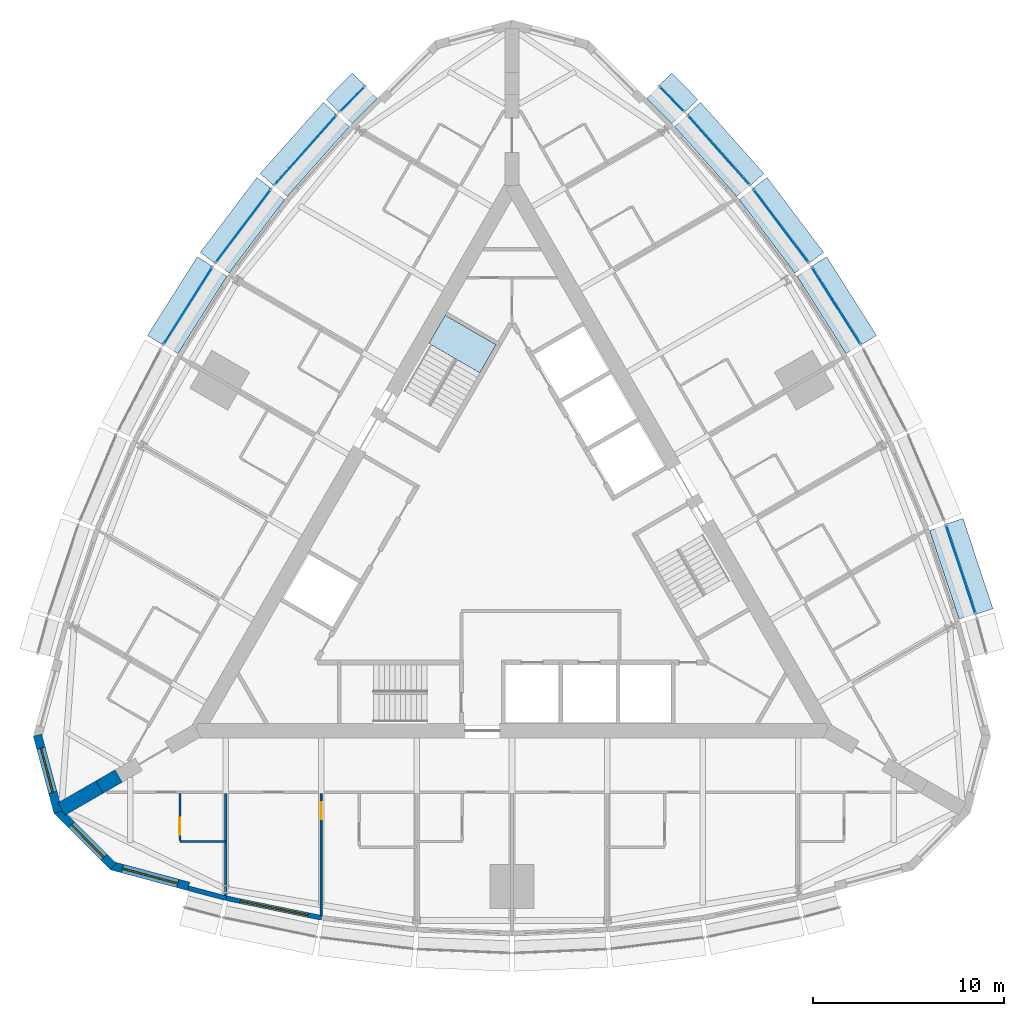
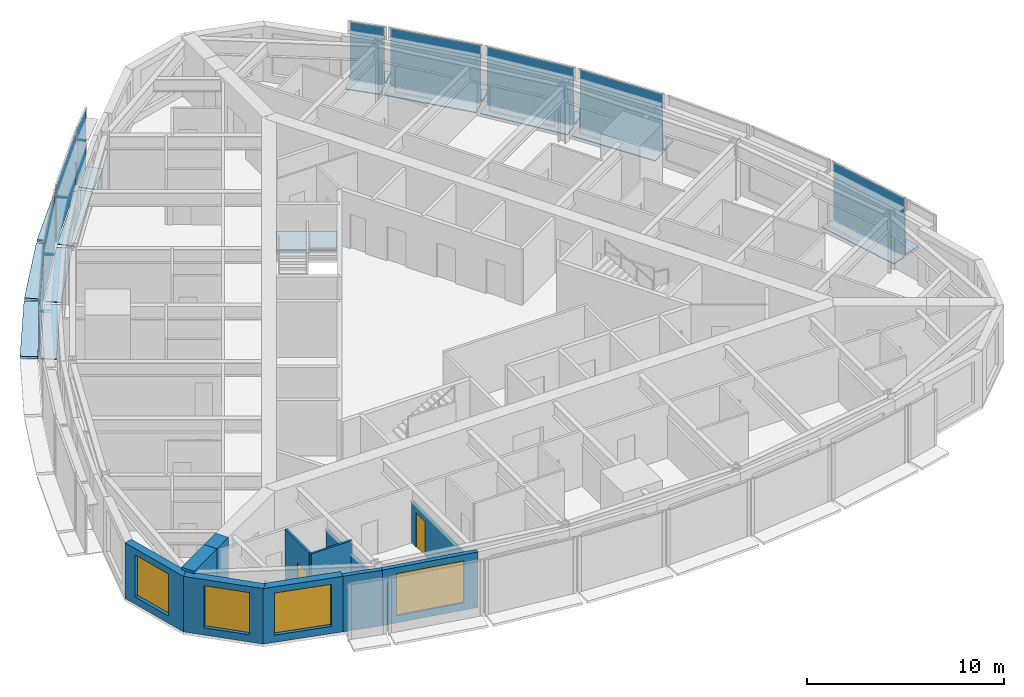
# One storey, part 8 of 15: 27 plates, 11 walls, 4 windows, 2 doors, 1 slab, 6 openings, 10 elements without a shape of their own.
"""IFC4 building model written with IfcOpenShell, lengths in metres."""

from ifc_helpers import new_model, si_unit, direction, frame, frame_2d, origin, origin_2d, place, context, subcontext, project, spatial, polyline, rectangle, outline, extrude, material, layer, layer_set, type_object, element, fill, aggregate, save


model = new_model("IFC4")

# Units and contexts
model_context = context("Model", 3, precision=1e-05, world=origin(), true_north=direction((0.0, 1.0)))
body_context = subcontext(model_context, "Body", "Model", "MODEL_VIEW")
ifc_project = project(units=[si_unit("LENGTHUNIT", "METRE"), si_unit("AREAUNIT", "SQUARE_METRE"), si_unit("VOLUMEUNIT", "CUBIC_METRE"), si_unit("PLANEANGLEUNIT", "RADIAN"), si_unit("MASSUNIT", "GRAM", prefix="KILO")], contexts=[model_context])

# Site, building, storey
site_placement = place(None, origin())
site = spatial("IfcSite", under=ifc_project, at=site_placement, CompositionType="ELEMENT")
building_placement = place(site_placement, origin())
building = spatial("IfcBuilding", under=site, at=building_placement, Name="Trikona Tower", CompositionType="ELEMENT")
storey_placement = place(building_placement, frame((0.0, 0.0, 208.10009765625)))
storey = spatial("IfcBuildingStorey", under=building, at=storey_placement, Name="L55", CompositionType="ELEMENT", Elevation=208.10009765625)

# Plates
ifc_material_1 = material(Name="Aluminium bar grating", Category="aluminium")
ifc_layer_1 = layer(ifc_material_1, 0.050048828125)
ifc_layer_set_1 = layer_set([ifc_layer_1], Name="Cavity catwalk grating")
plate_type_1 = type_object("IfcPlateType", Name="Cavity catwalk grating", PredefinedType="USERDEFINED", material=ifc_layer_set_1)
plate_1_placement = place(storey_placement, frame((23.05078125, -1.22314453125, -0.05029296875), z_axis=(0.0, 0.0, 1.0), x_axis=(-0.315092532747, 0.949060954737, 0.0)))
element("IfcPlate", 1, at=plate_1_placement, inside=storey, type_object=plate_type_1, Name="Cavity catwalk L55-13", ObjectType="CATWALK GRATING", PredefinedType="USERDEFINED", context=body_context, shape_type="SweptSolid", body=[
    extrude(rectangle(XDim=4.90478515625, YDim=0.840087890625, at=origin_2d()), origin(), (0.0, 0.0, 1.0), 0.050048828125),
])
plate_2_placement = place(storey_placement, frame((16.57666015625, 12.477294921875, -0.05029296875), z_axis=(0.0, 0.0, 1.0), x_axis=(-0.535204777743, 0.844722348397, 0.0)))
element("IfcPlate", 2, at=plate_2_placement, inside=storey, type_object=plate_type_1, Name="Cavity catwalk L55-16", ObjectType="CATWALK GRATING", PredefinedType="USERDEFINED", context=body_context, shape_type="SweptSolid", body=[
    extrude(rectangle(XDim=4.80419921875, YDim=0.840087890625, at=origin_2d()), origin(), (0.0, 0.0, 1.0), 0.050048828125),
])
plate_3_placement = place(storey_placement, frame((13.70068359375, 16.6298828125, -0.05029296875), z_axis=(0.0, 0.0, 1.0), x_axis=(-0.602401684924, 0.798193090674, 0.0)))
element("IfcPlate", 3, at=plate_3_placement, inside=storey, type_object=plate_type_1, Name="Cavity catwalk L55-17", ObjectType="CATWALK GRATING", PredefinedType="USERDEFINED", context=body_context, shape_type="SweptSolid", body=[
    extrude(rectangle(XDim=4.837890625, YDim=0.840087890625, at=origin_2d()), origin(), (0.0, 0.0, 1.0), 0.050048828125),
])
plate_4_placement = place(storey_placement, frame((10.466064453125, 20.57421875, -0.05029296875), z_axis=(0.0, 0.0, 1.0), x_axis=(-0.664367239113, 0.747406296196, 0.0)))
element("IfcPlate", 4, at=plate_4_placement, inside=storey, type_object=plate_type_1, Name="Cavity catwalk L55-18", ObjectType="CATWALK GRATING", PredefinedType="USERDEFINED", context=body_context, shape_type="SweptSolid", body=[
    extrude(rectangle(XDim=4.90478515625, YDim=0.840087890625, at=origin_2d()), origin(), (0.0, 0.0, 1.0), 0.050048828125),
])
for number, where, z_axis, x_axis, name in (
    (5, (8.0263671875, 23.23291015625, -0.05029296875), (0.0, 0.0, 1.0), (-0.704151057285, 0.710050201412, 0.0), "Cavity catwalk L55-19"),
    (6, (-8.0263671875, 23.23291015625, -0.05029296875), (0.0, 0.0, 1.0), (-0.704151057285, -0.710050201412, 0.0), "Cavity catwalk L55-24"),
):
    element("IfcPlate", number, at=place(storey_placement, frame(where, z_axis=z_axis, x_axis=x_axis)), inside=storey, type_object=plate_type_1, Name=name, ObjectType="CATWALK GRATING", PredefinedType="USERDEFINED", context=body_context, shape_type="SweptSolid", body=[
        extrude(rectangle(XDim=1.868408203125, YDim=0.840087890625, at=origin_2d()), origin(), (0.0, 0.0, 1.0), 0.050048828125),
    ])
plate_5_placement = place(storey_placement, frame((-10.466064453125, 20.57421875, -0.05029296875), z_axis=(0.0, 0.0, 1.0), x_axis=(-0.664367239113, -0.747406296196, 0.0)))
element("IfcPlate", 7, at=plate_5_placement, inside=storey, type_object=plate_type_1, Name="Cavity catwalk L55-25", ObjectType="CATWALK GRATING", PredefinedType="USERDEFINED", context=body_context, shape_type="SweptSolid", body=[
    extrude(rectangle(XDim=4.90478515625, YDim=0.840087890625, at=origin_2d()), origin(), (0.0, 0.0, 1.0), 0.050048828125),
])
plate_6_placement = place(storey_placement, frame((-13.70068359375, 16.6298828125, -0.05029296875), z_axis=(0.0, 0.0, 1.0), x_axis=(-0.602401684924, -0.798193090674, 0.0)))
element("IfcPlate", 8, at=plate_6_placement, inside=storey, type_object=plate_type_1, Name="Cavity catwalk L55-26", ObjectType="CATWALK GRATING", PredefinedType="USERDEFINED", context=body_context, shape_type="SweptSolid", body=[
    extrude(rectangle(XDim=4.837890625, YDim=0.840087890625, at=origin_2d()), origin(), (0.0, 0.0, 1.0), 0.050048828125),
])
plate_7_placement = place(storey_placement, frame((-16.57666015625, 12.477294921875, -0.05029296875), z_axis=(0.0, 0.0, 1.0), x_axis=(-0.535204777743, -0.844722348397, 0.0)))
element("IfcPlate", 9, at=plate_7_placement, inside=storey, type_object=plate_type_1, Name="Cavity catwalk L55-27", ObjectType="CATWALK GRATING", PredefinedType="USERDEFINED", context=body_context, shape_type="SweptSolid", body=[
    extrude(rectangle(XDim=4.80419921875, YDim=0.840087890625, at=origin_2d()), origin(), (0.0, 0.0, 1.0), 0.050048828125),
])

# Curtain wall, plate
ifc_material_2 = material(Name="Aluminium curtain wall system", Category="aluminium")
curtain_wall_type = type_object("IfcCurtainWallType", Name="Curtain wall DS3", PredefinedType="NOTDEFINED", material=ifc_material_2)
curtain_wall_1_placement = place(storey_placement, origin())
curtain_wall_1 = element("IfcCurtainWall", 10, at=curtain_wall_1_placement, inside=storey, type_object=curtain_wall_type, Name="Curtain wall DS3 L55", PredefinedType="NOTDEFINED")
ifc_material_3 = material(Name="Laminated clear glass", Category="glass")
ifc_layer_2 = layer(ifc_material_3, 0.028076171875)
ifc_layer_set_2 = layer_set([ifc_layer_2], Name="Glass panel DS3")
plate_type_2 = type_object("IfcPlateType", Name="Glass panel DS3", PredefinedType="CURTAIN_PANEL", material=ifc_layer_set_2)
plate_8_placement = place(storey_placement, frame((23.50634765625, -1.072021484375, 0.0), z_axis=(0.0, 0.0, 1.0), x_axis=(-0.315078038687, 0.949065766708, 0.0)))
plate_8 = element("IfcPlate", 11, at=plate_8_placement, type_object=plate_type_2, Name="CW-DS3 panel 1.1", PredefinedType="CURTAIN_PANEL", context=body_context, shape_type="SweptSolid", body=[
    extrude(rectangle(XDim=4.8447265625, YDim=0.028076171875, at=origin_2d()), origin(), (0.0, 0.0, 1.0), 3.530029296875),
])
aggregate(curtain_wall_1, [plate_8])

curtain_wall_2_placement = place(storey_placement, origin())
curtain_wall_2 = element("IfcCurtainWall", 12, at=curtain_wall_2_placement, inside=storey, type_object=curtain_wall_type, Name="Curtain wall DS3 L55", PredefinedType="NOTDEFINED")
plate_9_placement = place(storey_placement, frame((16.982177734375, 12.734130859375, 0.0), z_axis=(0.0, 0.0, 1.0), x_axis=(-0.535197227854, 0.844727131858, 0.0)))
plate_9 = element("IfcPlate", 13, at=plate_9_placement, type_object=plate_type_2, Name="CW-DS3 panel 1.1", PredefinedType="CURTAIN_PANEL", context=body_context, shape_type="SweptSolid", body=[
    extrude(rectangle(XDim=4.744140625, YDim=0.028076171875, at=origin_2d()), origin(), (0.0, 0.0, 1.0), 3.530029296875),
])
aggregate(curtain_wall_2, [plate_9])

curtain_wall_3_placement = place(storey_placement, origin())
curtain_wall_3 = element("IfcCurtainWall", 14, at=curtain_wall_3_placement, inside=storey, type_object=curtain_wall_type, Name="Curtain wall DS3 L55", PredefinedType="NOTDEFINED")
plate_10_placement = place(storey_placement, frame((14.083740234375, 16.9189453125, 0.0), z_axis=(0.0, 0.0, 1.0), x_axis=(-0.602401528506, 0.798193208724, 0.0)))
plate_10 = element("IfcPlate", 15, at=plate_10_placement, type_object=plate_type_2, Name="CW-DS3 panel 1.1", PredefinedType="CURTAIN_PANEL", context=body_context, shape_type="SweptSolid", body=[
    extrude(rectangle(XDim=4.778076171875, YDim=0.028076171875, at=origin_2d()), origin(), (0.0, 0.0, 1.0), 3.530029296875),
])
aggregate(curtain_wall_3, [plate_10])

curtain_wall_4_placement = place(storey_placement, origin())
curtain_wall_4 = element("IfcCurtainWall", 16, at=curtain_wall_4_placement, inside=storey, type_object=curtain_wall_type, Name="Curtain wall DS3 L55", PredefinedType="NOTDEFINED")
plate_11_placement = place(storey_placement, frame((10.82470703125, 20.89306640625, 0.0), z_axis=(0.0, 0.0, 1.0), x_axis=(-0.664371309689, 0.747402677853, 0.0)))
plate_11 = element("IfcPlate", 17, at=plate_11_placement, type_object=plate_type_2, Name="CW-DS3 panel 1.1", PredefinedType="CURTAIN_PANEL", context=body_context, shape_type="SweptSolid", body=[
    extrude(rectangle(XDim=4.844970703125, YDim=0.028076171875, at=origin_2d()), origin(), (0.0, 0.0, 1.0), 3.530029296875),
])
aggregate(curtain_wall_4, [plate_11])

curtain_wall_5_placement = place(storey_placement, origin())
curtain_wall_5 = element("IfcCurtainWall", 18, at=curtain_wall_5_placement, inside=storey, type_object=curtain_wall_type, Name="Curtain wall DS3 L55", PredefinedType="NOTDEFINED")
plate_12_placement = place(storey_placement, frame((8.3671875, 23.57080078125, 0.0), z_axis=(0.0, 0.0, 1.0), x_axis=(-0.704149343903, 0.710051900554, 0.0)))
plate_12 = element("IfcPlate", 19, at=plate_12_placement, type_object=plate_type_2, Name="CW-DS3 panel 1.1", PredefinedType="CURTAIN_PANEL", context=body_context, shape_type="SweptSolid", body=[
    extrude(rectangle(XDim=1.808349609375, YDim=0.028076171875, at=origin_2d()), origin(), (0.0, 0.0, 1.0), 3.530029296875),
])
aggregate(curtain_wall_5, [plate_12])

curtain_wall_6_placement = place(storey_placement, origin())
curtain_wall_6 = element("IfcCurtainWall", 20, at=curtain_wall_6_placement, inside=storey, type_object=curtain_wall_type, Name="Curtain wall DS3 L55", PredefinedType="NOTDEFINED")
plate_13_placement = place(storey_placement, frame((-8.3671875, 23.57080078125, 0.0), z_axis=(0.0, 0.0, 1.0), x_axis=(-0.704149343903, -0.710051900554, 0.0)))
plate_13 = element("IfcPlate", 21, at=plate_13_placement, type_object=plate_type_2, Name="CW-DS3 panel 1.1", PredefinedType="CURTAIN_PANEL", context=body_context, shape_type="SweptSolid", body=[
    extrude(rectangle(XDim=1.808349609375, YDim=0.028076171875, at=origin_2d()), origin(), (0.0, 0.0, 1.0), 3.530029296875),
])
aggregate(curtain_wall_6, [plate_13])

curtain_wall_7_placement = place(storey_placement, origin())
curtain_wall_7 = element("IfcCurtainWall", 22, at=curtain_wall_7_placement, inside=storey, type_object=curtain_wall_type, Name="Curtain wall DS3 L55", PredefinedType="NOTDEFINED")
plate_14_placement = place(storey_placement, frame((-10.82470703125, 20.89306640625, 0.0), z_axis=(0.0, 0.0, 1.0), x_axis=(-0.664371309689, -0.747402677853, 0.0)))
plate_14 = element("IfcPlate", 23, at=plate_14_placement, type_object=plate_type_2, Name="CW-DS3 panel 1.1", PredefinedType="CURTAIN_PANEL", context=body_context, shape_type="SweptSolid", body=[
    extrude(rectangle(XDim=4.844970703125, YDim=0.028076171875, at=origin_2d()), origin(), (0.0, 0.0, 1.0), 3.530029296875),
])
aggregate(curtain_wall_7, [plate_14])

curtain_wall_8_placement = place(storey_placement, origin())
curtain_wall_8 = element("IfcCurtainWall", 24, at=curtain_wall_8_placement, inside=storey, type_object=curtain_wall_type, Name="Curtain wall DS3 L55", PredefinedType="NOTDEFINED")
plate_15_placement = place(storey_placement, frame((-14.083740234375, 16.9189453125, 0.0), z_axis=(0.0, 0.0, 1.0), x_axis=(-0.602401528506, -0.798193208724, 0.0)))
plate_15 = element("IfcPlate", 25, at=plate_15_placement, type_object=plate_type_2, Name="CW-DS3 panel 1.1", PredefinedType="CURTAIN_PANEL", context=body_context, shape_type="SweptSolid", body=[
    extrude(rectangle(XDim=4.778076171875, YDim=0.028076171875, at=origin_2d()), origin(), (0.0, 0.0, 1.0), 3.530029296875),
])
aggregate(curtain_wall_8, [plate_15])

curtain_wall_9_placement = place(storey_placement, origin())
curtain_wall_9 = element("IfcCurtainWall", 26, at=curtain_wall_9_placement, inside=storey, type_object=curtain_wall_type, Name="Curtain wall DS3 L55", PredefinedType="NOTDEFINED")
plate_16_placement = place(storey_placement, frame((-16.982177734375, 12.734130859375, 0.0), z_axis=(0.0, 0.0, 1.0), x_axis=(-0.535197227854, -0.844727131858, 0.0)))
plate_16 = element("IfcPlate", 27, at=plate_16_placement, type_object=plate_type_2, Name="CW-DS3 panel 1.1", PredefinedType="CURTAIN_PANEL", context=body_context, shape_type="SweptSolid", body=[
    extrude(rectangle(XDim=4.744140625, YDim=0.028076171875, at=origin_2d()), origin(), (0.0, 0.0, 1.0), 3.530029296875),
])
aggregate(curtain_wall_9, [plate_16])

# Plates
ifc_material_4 = material(Name="Aluminium plate fin, pale anodised, on stainless steel outriggers", Category="steel")
ifc_layer_3 = layer(ifc_material_4, 0.14990234375)
ifc_layer_set_3 = layer_set([ifc_layer_3], Name="Outer skin fin 900")
plate_type_3 = type_object("IfcPlateType", Name="Outer skin fin 900", PredefinedType="USERDEFINED", material=ifc_layer_set_3)
plate_17_placement = place(storey_placement, frame((23.990234375, -0.9111328125, 0.0), z_axis=(0.0, 0.0, 1.0), x_axis=(-0.315092532747, 0.949060954737, 0.0)))
element("IfcPlate", 28, at=plate_17_placement, inside=storey, type_object=plate_type_3, Name="Outer skin fin L55-13", ObjectType="FIN", PredefinedType="USERDEFINED", context=body_context, shape_type="SweptSolid", body=[
    extrude(rectangle(XDim=4.98486328125, YDim=0.89990234375, at=origin_2d()), origin(), (0.0, 0.0, 1.0), 0.14990234375),
])
plate_18_placement = place(storey_placement, frame((17.4130859375, 13.007080078125, 0.0), z_axis=(0.0, 0.0, 1.0), x_axis=(-0.535204777743, 0.844722348397, 0.0)))
element("IfcPlate", 29, at=plate_18_placement, inside=storey, type_object=plate_type_3, Name="Outer skin fin L55-16", ObjectType="FIN", PredefinedType="USERDEFINED", context=body_context, shape_type="SweptSolid", body=[
    extrude(rectangle(XDim=4.88427734375, YDim=0.89990234375, at=origin_2d()), origin(), (0.0, 0.0, 1.0), 0.14990234375),
])
plate_19_placement = place(storey_placement, frame((14.49072265625, 17.22607421875, 0.0), z_axis=(0.0, 0.0, 1.0), x_axis=(-0.602401684924, 0.798193090674, 0.0)))
element("IfcPlate", 30, at=plate_19_placement, inside=storey, type_object=plate_type_3, Name="Outer skin fin L55-17", ObjectType="FIN", PredefinedType="USERDEFINED", context=body_context, shape_type="SweptSolid", body=[
    extrude(rectangle(XDim=4.91796875, YDim=0.89990234375, at=origin_2d()), origin(), (0.0, 0.0, 1.0), 0.14990234375),
])
plate_20_placement = place(storey_placement, frame((11.2060546875, 21.23193359375, 0.0), z_axis=(0.0, 0.0, 1.0), x_axis=(-0.664367239113, 0.747406296196, 0.0)))
element("IfcPlate", 31, at=plate_20_placement, inside=storey, type_object=plate_type_3, Name="Outer skin fin L55-18", ObjectType="FIN", PredefinedType="USERDEFINED", context=body_context, shape_type="SweptSolid", body=[
    extrude(rectangle(XDim=4.98486328125, YDim=0.89990234375, at=origin_2d()), origin(), (0.0, 0.0, 1.0), 0.14990234375),
])
for number, where, z_axis, x_axis, name in (
    (32, (8.7294921875, 23.929931640625, 0.0), (0.0, 0.0, 1.0), (-0.704151057285, 0.710050201412, 0.0), "Outer skin fin L55-19"),
    (33, (-8.7294921875, 23.929931640625, 0.0), (0.0, 0.0, 1.0), (-0.704151057285, -0.710050201412, 0.0), "Outer skin fin L55-24"),
):
    element("IfcPlate", number, at=place(storey_placement, frame(where, z_axis=z_axis, x_axis=x_axis)), inside=storey, type_object=plate_type_3, Name=name, ObjectType="FIN", PredefinedType="USERDEFINED", context=body_context, shape_type="SweptSolid", body=[
        extrude(rectangle(XDim=1.9482421875, YDim=0.89990234375, at=origin_2d()), origin(), (0.0, 0.0, 1.0), 0.14990234375),
    ])
plate_21_placement = place(storey_placement, frame((-11.2060546875, 21.23193359375, 0.0), z_axis=(0.0, 0.0, 1.0), x_axis=(-0.664367239113, -0.747406296196, 0.0)))
element("IfcPlate", 34, at=plate_21_placement, inside=storey, type_object=plate_type_3, Name="Outer skin fin L55-25", ObjectType="FIN", PredefinedType="USERDEFINED", context=body_context, shape_type="SweptSolid", body=[
    extrude(rectangle(XDim=4.98486328125, YDim=0.89990234375, at=origin_2d()), origin(), (0.0, 0.0, 1.0), 0.14990234375),
])
plate_22_placement = place(storey_placement, frame((-14.49072265625, 17.22607421875, 0.0), z_axis=(0.0, 0.0, 1.0), x_axis=(-0.602401684924, -0.798193090674, 0.0)))
element("IfcPlate", 35, at=plate_22_placement, inside=storey, type_object=plate_type_3, Name="Outer skin fin L55-26", ObjectType="FIN", PredefinedType="USERDEFINED", context=body_context, shape_type="SweptSolid", body=[
    extrude(rectangle(XDim=4.91796875, YDim=0.89990234375, at=origin_2d()), origin(), (0.0, 0.0, 1.0), 0.14990234375),
])
plate_23_placement = place(storey_placement, frame((-17.4130859375, 13.007080078125, 0.0), z_axis=(0.0, 0.0, 1.0), x_axis=(-0.535204777743, -0.844722348397, 0.0)))
element("IfcPlate", 36, at=plate_23_placement, inside=storey, type_object=plate_type_3, Name="Outer skin fin L55-27", ObjectType="FIN", PredefinedType="USERDEFINED", context=body_context, shape_type="SweptSolid", body=[
    extrude(rectangle(XDim=4.88427734375, YDim=0.89990234375, at=origin_2d()), origin(), (0.0, 0.0, 1.0), 0.14990234375),
])

# Stair, slab
ifc_material_5 = material(Name="Concrete f'c 5000 psi", Category="concrete")
stair_type = type_object("IfcStairType", Name="Core stair", PredefinedType="HALF_TURN_STAIR", material=ifc_material_5)
stair_placement = place(storey_placement, origin())
stair = element("IfcStair", 37, at=stair_placement, inside=storey, type_object=stair_type, Name="Stair C L55", PredefinedType="HALF_TURN_STAIR")
ifc_material_6 = material(Name="Concrete f'c 5000 psi", Category="concrete")
ifc_layer_4 = layer(ifc_material_6, 0.199951171875)
ifc_layer_set_4 = layer_set([ifc_layer_4], Name="Stair landing 200")
slab_type = type_object("IfcSlabType", Name="Stair landing 200", PredefinedType="LANDING", material=ifc_layer_set_4)
slab_placement = place(storey_placement, frame((0.0, 0.0, 1.599853515625)))
slab = element("IfcSlab", 38, at=slab_placement, type_object=slab_type, Name="ST-C landing 2", PredefinedType="LANDING", context=body_context, shape_type="SweptSolid", body=[
    extrude(outline(polyline([(-0.837158203125, 10.702392578125), (-1.688720703125, 9.2275390625), (-4.351806640625, 10.76513671875), (-3.500244140625, 12.239990234375), (-0.837158203125, 10.702392578125)])), origin(), (0.0, 0.0, 1.0), 0.199951171875),
])
aggregate(stair, [slab])

# Wall
ifc_material_7 = material(Name="Metal stud and cement board", Category="gypsum")
ifc_layer_5 = layer(ifc_material_7, 0.1201171875)
ifc_layer_set_5 = layer_set([ifc_layer_5], Name="Bathroom wall 120")
wall_type_1 = type_object("IfcWallType", Name="Bathroom wall 120", PredefinedType="PLUMBINGWALL", material=ifc_layer_set_5)
wall_1_placement = place(storey_placement, frame((-17.39990234375, -15.326416015625, 0.0), z_axis=(0.0, 0.0, 1.0), x_axis=(1.0, 0.0, 0.0)))
element("IfcWall", 39, at=wall_1_placement, inside=storey, type_object=wall_type_1, Name="Bathroom wall 5501", PredefinedType="PLUMBINGWALL", context=body_context, shape_type="SweptSolid", body=[
    extrude(rectangle(XDim=2.39990234375, YDim=0.1201171875, at=frame_2d((1.199951171875, 0.0))), origin(), (0.0, 0.0, 1.0), 3.434814453125),
])

# Wall, opening, door
wall_2_placement = place(storey_placement, frame((-17.39990234375, -12.826416015625, 0.0), z_axis=(0.0, 0.0, 1.0), x_axis=(0.0, -1.0, 0.0)))
wall_2 = element("IfcWall", 40, at=wall_2_placement, inside=storey, type_object=wall_type_1, Name="Bathroom wall 5501", PredefinedType="PLUMBINGWALL", context=body_context, shape_type="SweptSolid", body=[
    extrude(rectangle(XDim=2.43994140625, YDim=0.1201171875, at=frame_2d((1.219970703125, 0.0))), origin(), (0.0, 0.0, 1.0), 3.434814453125),
])
opening_1_placement = place(wall_2_placement, frame((1.25, 0.0, 0.0)))
opening_1 = element("IfcOpeningElement", 41, at=opening_1_placement, cuts=wall_2, Name="Opening D2", PredefinedType="OPENING", context=body_context, shape_type="SweptSolid", body=[
    extrude(rectangle(XDim=0.89990234375, YDim=2.1298828125, at=frame_2d((0.449951171875, 1.06494140625))), frame((0.0, 0.070068359375, 0.0), z_axis=(0.0, -1.0, 0.0), x_axis=(1.0, 0.0, 0.0)), (0.0, 0.0, 1.0), 0.14013671875),
])
ifc_material_8 = material(Name="Steel door frame with solid-core timber leaf", Category="steel")
door_type_1 = type_object("IfcDoorType", Name="Bathroom door 900x2130", OperationType="SLIDING_TO_LEFT", PredefinedType="DOOR", material=ifc_material_8)
door_1_placement = place(opening_1_placement, origin())
door_1 = element("IfcDoor", 42, at=door_1_placement, inside=storey, type_object=door_type_1, Name="Bathroom door 5501", OperationType="SLIDING_TO_LEFT", OverallHeight=2.1298828125, OverallWidth=0.89990234375, PredefinedType="DOOR", context=body_context, shape_type="SweptSolid", body=[
    extrude(rectangle(XDim=0.89990234375, YDim=2.1298828125, at=frame_2d((0.449951171875, 1.06494140625))), frame((0.0, 0.02490234375, 0.0), z_axis=(0.0, -1.0, 0.0), x_axis=(1.0, 0.0, 0.0)), (0.0, 0.0, 1.0), 0.050048828125),
])
fill(opening_1, door_1)

# Wall, opening, window
ifc_material_9 = material(Name="Brick-faced precast concrete", Category="masonry")
ifc_layer_6 = layer(ifc_material_9, 0.449951171875)
ifc_layer_set_6 = layer_set([ifc_layer_6], Name="Brick-faced corner wall 450")
wall_type_2 = type_object("IfcWallType", Name="Brick-faced corner wall 450", PredefinedType="SOLIDWALL", material=ifc_layer_set_6)
wall_3_placement = place(storey_placement, frame((-24.865478515625, -9.7568359375, 0.0), z_axis=(0.0, 0.0, 1.0), x_axis=(0.258799282522, -0.96593112144, 0.0)))
wall_3 = element("IfcWall", 43, at=wall_3_placement, inside=storey, type_object=wall_type_2, Name="External wall L55-33", PredefinedType="SOLIDWALL", context=body_context, shape_type="SweptSolid", body=[
    extrude(outline(polyline([(4.183837890625, 0.22509765625), (4.12451171875, 0.22509765625), (3.705078125, 0.112548828125), (3.675048828125, 0.22509765625), (0.0, 0.22509765625), (0.0, -0.22509765625), (4.183837890625, -0.22509765625), (4.183837890625, 0.22509765625)])), origin(), (0.0, 0.0, 1.0), 3.434814453125),
])
opening_2_placement = place(wall_3_placement, frame((0.712646484375, 0.0, 0.449951171875)))
opening_2 = element("IfcOpeningElement", 44, at=opening_2_placement, cuts=wall_3, Name="Opening W2426", PredefinedType="OPENING", context=body_context, shape_type="SweptSolid", body=[
    extrude(rectangle(XDim=2.39990234375, YDim=2.60009765625, at=frame_2d((1.199951171875, 1.300048828125))), frame((0.0, 0.23486328125, 0.0), z_axis=(0.0, -1.0, 0.0), x_axis=(1.0, 0.0, 0.0)), (0.0, 0.0, 1.0), 0.469970703125),
])
ifc_material_10 = material(Name="Aluminium-framed double glazing", Category="aluminium")
window_type_1 = type_object("IfcWindowType", Name="Window 2400x2600", PartitioningType="SINGLE_PANEL", PredefinedType="WINDOW", material=ifc_material_10)
window_1_placement = place(opening_2_placement, origin())
window_1 = element("IfcWindow", 45, at=window_1_placement, inside=storey, type_object=window_type_1, Name="Window 5516", OverallHeight=2.60009765625, OverallWidth=2.39990234375, PartitioningType="SINGLE_PANEL", PredefinedType="WINDOW", context=body_context, shape_type="SweptSolid", body=[
    extrude(rectangle(XDim=2.39990234375, YDim=2.60009765625, at=frame_2d((1.199951171875, 1.300048828125))), frame((0.0, 0.030029296875, 0.0), z_axis=(0.0, -1.0, 0.0), x_axis=(1.0, 0.0, 0.0)), (0.0, 0.0, 1.0), 0.06005859375),
])
fill(opening_2, window_1)

wall_4_placement = place(storey_placement, frame((-23.8408203125, -13.697265625, 0.0), z_axis=(0.0, 0.0, 1.0), x_axis=(0.707077605902, -0.707135955267, 0.0)))
wall_4 = element("IfcWall", 46, at=wall_4_placement, inside=storey, type_object=wall_type_2, Name="External wall L55-34", PredefinedType="SOLIDWALL", context=body_context, shape_type="SweptSolid", body=[
    extrude(outline(polyline([(4.18408203125, 0.22509765625), (0.5087890625, 0.22509765625), (0.478759765625, 0.112548828125), (0.05908203125, 0.22509765625), (0.0, 0.22509765625), (0.0, -0.22509765625), (4.18408203125, -0.22509765625), (4.18408203125, 0.22509765625)])), origin(), (0.0, 0.0, 1.0), 3.434814453125),
])
opening_3_placement = place(wall_4_placement, frame((1.0712890625, 0.0, 0.449951171875)))
opening_3 = element("IfcOpeningElement", 47, at=opening_3_placement, cuts=wall_4, Name="Opening W2426", PredefinedType="OPENING", context=body_context, shape_type="SweptSolid", body=[
    extrude(rectangle(XDim=2.39990234375, YDim=2.60009765625, at=frame_2d((1.199951171875, 1.300048828125))), frame((0.0, 0.23486328125, 0.0), z_axis=(0.0, -1.0, 0.0), x_axis=(1.0, 0.0, 0.0)), (0.0, 0.0, 1.0), 0.469970703125),
])
window_2_placement = place(opening_3_placement, origin())
window_2 = element("IfcWindow", 48, at=window_2_placement, inside=storey, type_object=window_type_1, Name="Window 5501", OverallHeight=2.60009765625, OverallWidth=2.39990234375, PartitioningType="SINGLE_PANEL", PredefinedType="WINDOW", context=body_context, shape_type="SweptSolid", body=[
    extrude(rectangle(XDim=2.39990234375, YDim=2.60009765625, at=frame_2d((1.199951171875, 1.300048828125))), frame((0.0, 0.030029296875, 0.0), z_axis=(0.0, -1.0, 0.0), x_axis=(1.0, 0.0, 0.0)), (0.0, 0.0, 1.0), 0.06005859375),
])
fill(opening_3, window_2)

wall_5_placement = place(storey_placement, frame((-20.9833984375, -16.59765625, 0.0), z_axis=(0.0, 0.0, 1.0), x_axis=(0.965920442324, -0.258839137498, 0.0)))
wall_5 = element("IfcWall", 49, at=wall_5_placement, inside=storey, type_object=wall_type_2, Name="External wall L55-35", PredefinedType="SOLIDWALL", context=body_context, shape_type="SweptSolid", body=[
    extrude(rectangle(XDim=4.18408203125, YDim=0.449951171875, at=frame_2d((2.092041015625, 0.0))), origin(), (0.0, 0.0, 1.0), 3.434814453125),
])
opening_4_placement = place(wall_5_placement, frame((0.592041015625, 0.0, 0.449951171875)))
opening_4 = element("IfcOpeningElement", 50, at=opening_4_placement, cuts=wall_5, Name="Opening W3026", PredefinedType="OPENING", context=body_context, shape_type="SweptSolid", body=[
    extrude(rectangle(XDim=3.0, YDim=2.60009765625, at=frame_2d((1.5, 1.300048828125))), frame((0.0, 0.23486328125, 0.0), z_axis=(0.0, -1.0, 0.0), x_axis=(1.0, 0.0, 0.0)), (0.0, 0.0, 1.0), 0.469970703125),
])
ifc_material_11 = material(Name="Aluminium-framed double glazing", Category="aluminium")
window_type_2 = type_object("IfcWindowType", Name="Window 3000x2600", PartitioningType="SINGLE_PANEL", PredefinedType="WINDOW", material=ifc_material_11)
window_3_placement = place(opening_4_placement, origin())
window_3 = element("IfcWindow", 51, at=window_3_placement, inside=storey, type_object=window_type_2, Name="Window 5501", OverallHeight=2.60009765625, OverallWidth=3.0, PartitioningType="SINGLE_PANEL", PredefinedType="WINDOW", context=body_context, shape_type="SweptSolid", body=[
    extrude(rectangle(XDim=3.0, YDim=2.60009765625, at=frame_2d((1.5, 1.300048828125))), frame((0.0, 0.030029296875, 0.0), z_axis=(0.0, -1.0, 0.0), x_axis=(1.0, 0.0, 0.0)), (0.0, 0.0, 1.0), 0.06005859375),
])
fill(opening_4, window_3)

# Walls
ifc_material_12 = material(Name="Concrete f'c 10000 psi", Category="concrete")
ifc_layer_7 = layer(ifc_material_12, 0.75)
ifc_layer_set_7 = layer_set([ifc_layer_7], Name="Buttress wall 750")
wall_type_3 = type_object("IfcWallType", Name="Buttress wall 750", PredefinedType="SHEAR", material=ifc_layer_set_7)
wall_6_placement = place(storey_placement, frame((-20.6103515625, -11.8994140625, 0.0), z_axis=(0.0, 0.0, 1.0), x_axis=(-0.866009537788, -0.500027479704, 0.0)))
element("IfcWall", 52, at=wall_6_placement, inside=storey, type_object=wall_type_3, Name="Buttress wall 3 part 2", PredefinedType="SHEAR", context=body_context, shape_type="SweptSolid", body=[
    extrude(rectangle(XDim=1.15478515625, YDim=0.75, at=frame_2d((0.577392578125, 0.0))), origin(), (0.0, 0.0, 1.0), 3.599853515625),
])
wall_7_placement = place(storey_placement, frame((-21.6103515625, -12.476806640625, 0.0), z_axis=(0.0, 0.0, 1.0), x_axis=(-0.866055313784, -0.499948190782, 0.0)))
element("IfcWall", 53, at=wall_7_placement, inside=storey, type_object=wall_type_3, Name="Buttress wall 3 part 3", PredefinedType="SHEAR", context=body_context, shape_type="SweptSolid", body=[
    extrude(rectangle(XDim=2.309326171875, YDim=0.75, at=frame_2d((1.15478515625, 0.0))), origin(), (0.0, 0.0, 1.0), 3.599853515625),
])
ifc_material_13 = material(Name="Insulated precast concrete spandrel panel", Category="concrete")
ifc_layer_8 = layer(ifc_material_13, 0.25)
ifc_layer_set_8 = layer_set([ifc_layer_8], Name="Inner skin wall 250")
wall_type_4 = type_object("IfcWallType", Name="Inner skin wall 250", PredefinedType="STANDARD", material=ifc_layer_set_8)
wall_8_placement = place(storey_placement, frame((-16.968017578125, -17.777099609375, 0.0), z_axis=(0.0, 0.0, 1.0), x_axis=(0.967010286052, -0.254737328772, 0.0)))
element("IfcWall", 54, at=wall_8_placement, inside=storey, type_object=wall_type_4, Name="External wall L55-00", PredefinedType="STANDARD", context=body_context, shape_type="SweptSolid", body=[
    extrude(rectangle(XDim=2.068115234375, YDim=0.25, at=frame_2d((1.0341796875, 0.0))), origin(), (0.0, 0.0, 1.0), 3.434814453125),
])

# Wall, opening, window
wall_9_placement = place(storey_placement, frame((-14.974853515625, -18.302490234375, 0.0), z_axis=(0.0, 0.0, 1.0), x_axis=(0.979461488189, -0.201631329795, 0.0)))
wall_9 = element("IfcWall", 55, at=wall_9_placement, inside=storey, type_object=wall_type_4, Name="External wall L55-01", PredefinedType="STANDARD", context=body_context, shape_type="SweptSolid", body=[
    extrude(rectangle(XDim=5.104736328125, YDim=0.25, at=frame_2d((2.55224609375, 0.0))), origin(), (0.0, 0.0, 1.0), 3.434814453125),
])
opening_5_placement = place(wall_9_placement, frame((0.75244140625, 0.0, 0.449951171875)))
opening_5 = element("IfcOpeningElement", 56, at=opening_5_placement, cuts=wall_9, Name="Opening W3626", PredefinedType="OPENING", context=body_context, shape_type="SweptSolid", body=[
    extrude(rectangle(XDim=3.60009765625, YDim=2.60009765625, at=frame_2d((1.800048828125, 1.300048828125))), frame((0.0, 0.135009765625, 0.0), z_axis=(0.0, -1.0, 0.0), x_axis=(1.0, 0.0, 0.0)), (0.0, 0.0, 1.0), 0.27001953125),
])
ifc_material_14 = material(Name="Aluminium-framed double glazing", Category="aluminium")
window_type_3 = type_object("IfcWindowType", Name="Window 3600x2600", PartitioningType="SINGLE_PANEL", PredefinedType="WINDOW", material=ifc_material_14)
window_4_placement = place(opening_5_placement, origin())
window_4 = element("IfcWindow", 57, at=window_4_placement, inside=storey, type_object=window_type_3, Name="Window 5502", OverallHeight=2.60009765625, OverallWidth=3.60009765625, PartitioningType="SINGLE_PANEL", PredefinedType="WINDOW", context=body_context, shape_type="SweptSolid", body=[
    extrude(rectangle(XDim=3.60009765625, YDim=2.60009765625, at=frame_2d((1.800048828125, 1.300048828125))), frame((0.0, 0.030029296875, 0.0), z_axis=(0.0, -1.0, 0.0), x_axis=(1.0, 0.0, 0.0)), (0.0, 0.0, 1.0), 0.06005859375),
])
fill(opening_5, window_4)

# Wall
ifc_material_15 = material(Name="Metal stud and gypsum board, 1-hour acoustic", Category="gypsum")
ifc_layer_9 = layer(ifc_material_15, 0.14990234375)
ifc_layer_set_9 = layer_set([ifc_layer_9], Name="Party wall 150")
wall_type_5 = type_object("IfcWallType", Name="Party wall 150", PredefinedType="PARTITIONING", material=ifc_layer_set_9)
wall_10_placement = place(storey_placement, frame((-15.0, -12.826416015625, 0.0), z_axis=(0.0, 0.0, 1.0), x_axis=(0.0, -1.0, 0.0)))
element("IfcWall", 58, at=wall_10_placement, inside=storey, type_object=wall_type_5, Name="Partition L55 F1 u-15", PredefinedType="PARTITIONING", context=body_context, shape_type="SweptSolid", body=[
    extrude(rectangle(XDim=5.340087890625, YDim=0.14990234375, at=frame_2d((2.669921875, 0.0))), origin(), (0.0, 0.0, 1.0), 2.589111328125),
])

# Wall, opening, door
ifc_material_16 = material(Name="Metal stud and gypsum board, acoustic", Category="gypsum")
ifc_layer_10 = layer(ifc_material_16, 0.10009765625)
ifc_layer_set_10 = layer_set([ifc_layer_10], Name="Suite partition 100")
wall_type_6 = type_object("IfcWallType", Name="Suite partition 100", PredefinedType="PARTITIONING", material=ifc_layer_set_10)
wall_11_placement = place(storey_placement, frame((-10.0, -12.826416015625, 0.0), z_axis=(0.0, 0.0, 1.0), x_axis=(0.0, -1.0, 0.0)))
wall_11 = element("IfcWall", 59, at=wall_11_placement, inside=storey, type_object=wall_type_6, Name="Suite partition L55 F1 u-10", PredefinedType="PARTITIONING", context=body_context, shape_type="SweptSolid", body=[
    extrude(rectangle(XDim=6.372802734375, YDim=0.10009765625, at=frame_2d((3.1865234375, 0.0))), origin(), (0.0, 0.0, 1.0), 2.589111328125),
])
opening_6_placement = place(wall_11_placement, frame((0.449951171875, 0.0, 0.0)))
opening_6 = element("IfcOpeningElement", 60, at=opening_6_placement, cuts=wall_11, Name="Opening D13", PredefinedType="OPENING", context=body_context, shape_type="SweptSolid", body=[
    extrude(rectangle(XDim=0.89990234375, YDim=2.1298828125, at=frame_2d((0.449951171875, 1.06494140625))), frame((0.0, 0.06005859375, 0.0), z_axis=(0.0, -1.0, 0.0), x_axis=(1.0, 0.0, 0.0)), (0.0, 0.0, 1.0), 0.1201171875),
])
ifc_material_17 = material(Name="Steel door frame with solid-core timber leaf", Category="steel")
door_type_2 = type_object("IfcDoorType", Name="Suite door 900x2130", OperationType="SINGLE_SWING_LEFT", PredefinedType="DOOR", material=ifc_material_17)
door_2_placement = place(opening_6_placement, origin())
door_2 = element("IfcDoor", 61, at=door_2_placement, inside=storey, type_object=door_type_2, Name="Suite door 5502", OperationType="SINGLE_SWING_LEFT", OverallHeight=2.1298828125, OverallWidth=0.89990234375, PredefinedType="DOOR", context=body_context, shape_type="SweptSolid", body=[
    extrude(rectangle(XDim=0.89990234375, YDim=2.1298828125, at=frame_2d((0.449951171875, 1.06494140625))), frame((0.0, 0.02490234375, 0.0), z_axis=(0.0, -1.0, 0.0), x_axis=(1.0, 0.0, 0.0)), (0.0, 0.0, 1.0), 0.050048828125),
])
fill(opening_6, door_2)

save(model, "model.ifc")
